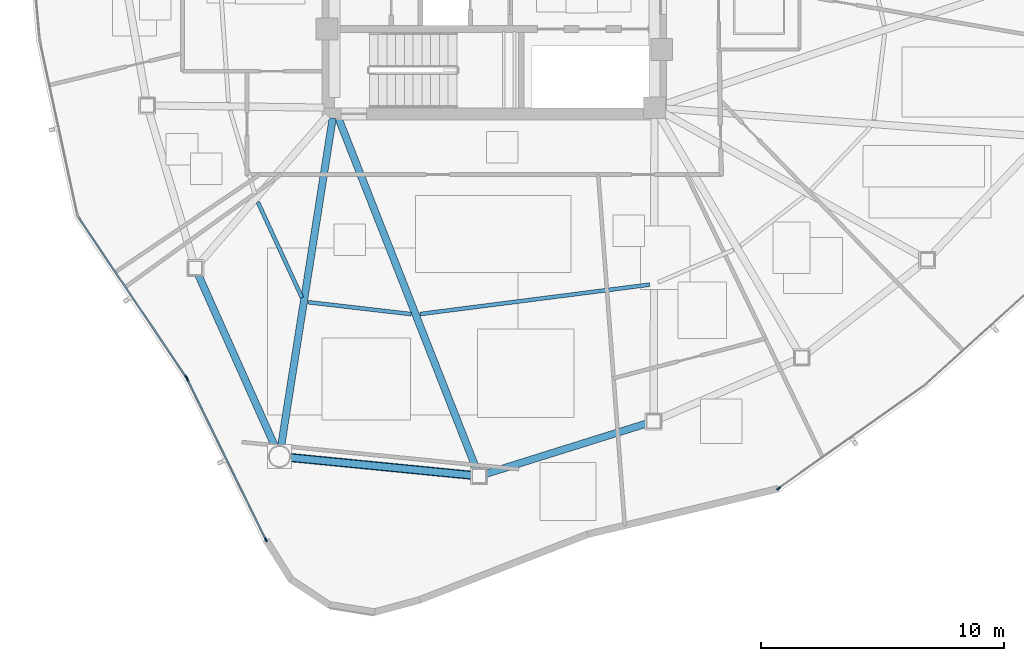
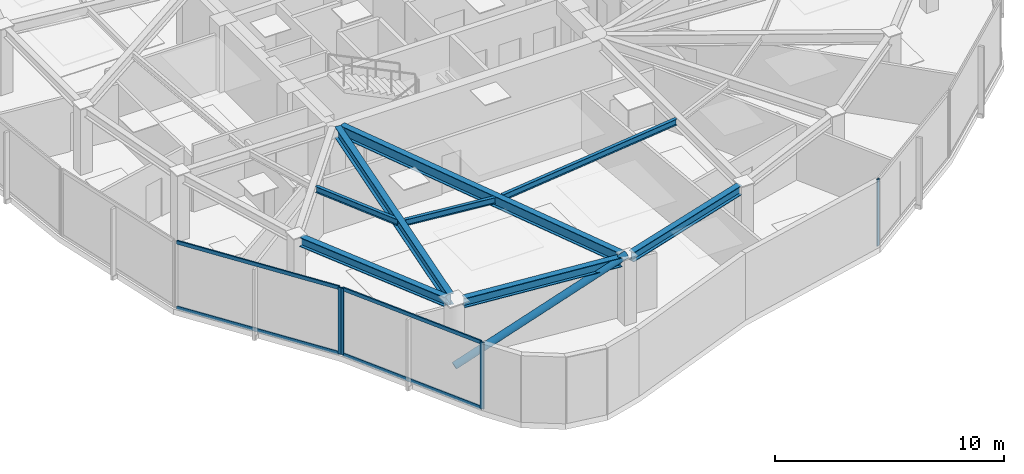
# One storey, part 2 of 17: 9 members, 8 beams, 3 elements without a shape of their own.
"""IFC4 building model written with IfcOpenShell, lengths in metres."""

import ifcopenshell
import ifcopenshell.guid

model = None  # the IFC model being written
_history = None  # IfcOwnerHistory: only IFC2X3 demands one
_inside = {}  # id of a spatial element -> (the spatial element, [elements in it])
_under = {}  # id of a project, library or spatial element -> (it, [spatial elements below it])
_declared = {}  # id of a project -> (the project, [libraries it declares])
_typed = {}  # id of a type object -> (the type object, [elements of that type])
_made_of = {}  # id of a material, layer set ... -> (it, [elements and type objects made of it])


def new_model(schema):
    """Start an empty IFC model of exactly this schema.

    Asked for "IFC4X3", IfcOpenShell would pick the latest addendum, in which some entities
    have other attributes; the version numbers below select the first issue.
    IFC2X3 requires an IfcOwnerHistory on every rooted entity: one is made here for all.
    """
    global model, _history
    if schema == "IFC4X3":
        model = ifcopenshell.file(schema_version=(4, 3, 0, 0))
    else:
        model = ifcopenshell.file(schema=schema)
    _inside.clear()
    _under.clear()
    _declared.clear()
    _typed.clear()
    _made_of.clear()
    _history = None
    if model.schema == "IFC2X3":
        org = make("IfcOrganization", Name="unknown")
        user = make(
            "IfcPersonAndOrganization",
            ThePerson=make("IfcPerson", FamilyName="unknown"),
            TheOrganization=org,
        )
        app = make(
            "IfcApplication",
            ApplicationDeveloper=org,
            Version="unknown",
            ApplicationFullName="unknown",
            ApplicationIdentifier="unknown",
        )
        _history = make(
            "IfcOwnerHistory",
            OwningUser=user,
            OwningApplication=app,
            ChangeAction="ADDED",
            CreationDate=0,
        )
    return model


def make(cls, **values):
    """One entity of the class cls with the attributes given. An attribute that is None is left unset."""
    return model.create_entity(
        cls, **{name: value for name, value in values.items() if value is not None}
    )


def rooted(cls, **values):
    """An entity with a GlobalId (a new one), such as an element, a storey or a relation."""
    return make(cls, GlobalId=ifcopenshell.guid.new(), OwnerHistory=_history, **values)


def si_unit(unit_type, name, prefix=None):
    """IfcSIUnit, for example si_unit("LENGTHUNIT", "METRE", prefix="MILLI")."""
    return make("IfcSIUnit", UnitType=unit_type, Prefix=prefix, Name=name)


def assignment(units):
    """IfcUnitAssignment: the units of a project."""
    return None if units is None else make("IfcUnitAssignment", Units=units)


def point(xyz):
    """IfcCartesianPoint."""
    return None if xyz is None else make("IfcCartesianPoint", Coordinates=xyz)


def direction(xyz):
    """IfcDirection."""
    return None if xyz is None else make("IfcDirection", DirectionRatios=xyz)


def frame(location, z_axis=None, x_axis=None):
    """IfcAxis2Placement3D, a coordinate frame: its origin and axes. An axis left out is left unset."""
    return make(
        "IfcAxis2Placement3D",
        Location=point(location),
        Axis=direction(z_axis),
        RefDirection=direction(x_axis),
    )


def frame_2d(location, x_axis=None):
    """IfcAxis2Placement2D, a coordinate frame in the plane: its origin and x axis."""
    return make(
        "IfcAxis2Placement2D", Location=point(location), RefDirection=direction(x_axis)
    )


def origin():
    """The frame at (0, 0, 0) with its axes left unset."""
    return frame((0.0, 0.0, 0.0))


def origin_2d():
    """The frame at (0, 0) in the plane with its x axis left unset."""
    return frame_2d((0.0, 0.0))


def place(relative_to, where):
    """IfcLocalPlacement: puts the frame where relative to a parent placement (None: the world)."""
    return make(
        "IfcLocalPlacement", PlacementRelTo=relative_to, RelativePlacement=where
    )


def context(
    kind, dimensions, precision=None, world=None, true_north=None, identifier=None
):
    """IfcGeometricRepresentationContext, for example the 3D "Model" context."""
    return make(
        "IfcGeometricRepresentationContext",
        ContextIdentifier=identifier,
        ContextType=kind,
        CoordinateSpaceDimension=dimensions,
        Precision=precision,
        WorldCoordinateSystem=world,
        TrueNorth=true_north,
    )


def subcontext(parent, identifier, kind, view, scale=None):
    """IfcGeometricRepresentationSubContext, for example "Body" below "Model"."""
    return make(
        "IfcGeometricRepresentationSubContext",
        ContextIdentifier=identifier,
        ContextType=kind,
        ParentContext=parent,
        TargetScale=scale,
        TargetView=view,
    )


def project(units=None, contexts=None):
    """IfcProject with its units and contexts."""
    return rooted(
        "IfcProject",
        Name="project",
        RepresentationContexts=contexts,
        UnitsInContext=assignment(units),
    )


def spatial(cls, under=None, at=None, **own):
    """A site, building, storey or space (cls), placed at a placement, below another one or the project."""
    s = rooted(cls, ObjectPlacement=at, **own)
    if under is not None:
        _under.setdefault(under.id(), (under, []))[1].append(s)
    return s


def profile(cls, at=None, kind="AREA", **sizes):
    """A parametric profile (cls). Its sizes go by their IFC names, for example OverallWidth=200.0."""
    return make(cls, ProfileType=kind, Position=at, **sizes)


def hollow_rectangle(**sizes):
    """IfcRectangleHollowProfileDef."""
    return profile("IfcRectangleHollowProfileDef", **sizes)


def hollow_circle(**sizes):
    """IfcCircleHollowProfileDef."""
    return profile("IfcCircleHollowProfileDef", **sizes)


def i_section(**sizes):
    """IfcIShapeProfileDef."""
    return profile("IfcIShapeProfileDef", **sizes)


def extrude(swept, where, along, depth):
    """IfcExtrudedAreaSolid: the profile swept, set in the frame where, extruded along a direction by depth."""
    return make(
        "IfcExtrudedAreaSolid",
        SweptArea=swept,
        Position=where,
        ExtrudedDirection=direction(along),
        Depth=depth,
    )


def shape(context_of_items, identifier, shape_type, items):
    """IfcShapeRepresentation: the items that make up one representation, for example the "Body"."""
    return make(
        "IfcShapeRepresentation",
        ContextOfItems=context_of_items,
        RepresentationIdentifier=identifier,
        RepresentationType=shape_type,
        Items=items,
    )


def source(mapping_origin, context_of_items, identifier, shape_type, items):
    """IfcRepresentationMap: a shape defined once, which mapped items show again and again."""
    return make(
        "IfcRepresentationMap",
        MappingOrigin=mapping_origin,
        MappedRepresentation=shape(context_of_items, identifier, shape_type, items),
    )


def transform(
    local_origin,
    x_axis=None,
    y_axis=None,
    z_axis=None,
    scale=None,
    scale2=None,
    scale3=None,
    uniform=True,
):
    """IfcCartesianTransformationOperator3D, or its non-uniform kind. x_axis, y_axis, z_axis: its Axis1, 2, 3."""
    if uniform:
        return make(
            "IfcCartesianTransformationOperator3D",
            Axis1=direction(x_axis),
            Axis2=direction(y_axis),
            LocalOrigin=point(local_origin),
            Scale=scale,
            Axis3=direction(z_axis),
        )
    return make(
        "IfcCartesianTransformationOperator3DnonUniform",
        Axis1=direction(x_axis),
        Axis2=direction(y_axis),
        LocalOrigin=point(local_origin),
        Scale=scale,
        Axis3=direction(z_axis),
        Scale2=scale2,
        Scale3=scale3,
    )


def mapped(mapping_source, mapping_target):
    """IfcMappedItem: shows the shape of a source again, moved by a transform."""
    return make(
        "IfcMappedItem", MappingSource=mapping_source, MappingTarget=mapping_target
    )


def material(Name=None, Category=None):
    """IfcMaterial."""
    return make("IfcMaterial", Name=Name, Category=Category)


def layer(
    of_material, thickness, ventilated=None, Name=None, Category=None, Priority=None
):
    """IfcMaterialLayer: one layer of a wall or slab, of a material (None: an air gap)."""
    return make(
        "IfcMaterialLayer",
        Material=of_material,
        LayerThickness=thickness,
        IsVentilated=ventilated,
        Name=Name,
        Category=Category,
        Priority=Priority,
    )


def layer_set(layers, Name=None):
    """IfcMaterialLayerSet."""
    return make("IfcMaterialLayerSet", MaterialLayers=layers, LayerSetName=Name)


def material_profile(
    of_material, cross_section, Name=None, Category=None, Priority=None
):
    """IfcMaterialProfile: a cross section and its material."""
    return make(
        "IfcMaterialProfile",
        Name=Name,
        Material=of_material,
        Profile=cross_section,
        Priority=Priority,
        Category=Category,
    )


def profile_set(profiles, Name=None, composite=None):
    """IfcMaterialProfileSet."""
    return make(
        "IfcMaterialProfileSet",
        Name=Name,
        MaterialProfiles=profiles,
        CompositeProfile=composite,
    )


def made_of(thing, what):
    """Note that an element or type object is made of a material, layer set ...; save() writes the relation."""
    if what is not None:
        _made_of.setdefault(what.id(), (what, []))[1].append(thing)
    return thing


def type_object(cls, material=None, **own):
    """A type object (cls), such as IfcWallType, which elements share."""
    return made_of(rooted(cls, **own), material)


def type_shapes(of_type, sources):
    """Give a type object the sources (RepresentationMaps) that its elements show as mapped items."""
    of_type.RepresentationMaps = sources


def element(
    cls,
    number,
    at=None,
    inside=None,
    cuts=None,
    type_object=None,
    material=None,
    context=None,
    identifier="Body",
    shape_type=None,
    held_by="IfcProductDefinitionShape",
    body=None,
    shapes=None,
    **own,
):
    """One element of the class cls, such as IfcWall. Its Tag is "e" and its number.

    at: its placement. inside: the storey or other place that contains it. cuts: it is an
    opening in that element (IfcRelVoidsElement). A single representation is given by context,
    identifier, shape_type and body (its items); several are given by shapes. held_by: the class
    of the entity that holds the representations. save() writes the other relations.
    """
    e = rooted(cls, Tag="e%d" % number, ObjectPlacement=at, **own)
    if body is not None:
        shapes = [shape(context, identifier, shape_type, body)]
    if shapes is not None:
        e.Representation = make(held_by, Representations=shapes)
    if inside is not None:
        _inside.setdefault(inside.id(), (inside, []))[1].append(e)
    if cuts is not None:
        rooted(
            "IfcRelVoidsElement", RelatingBuildingElement=cuts, RelatedOpeningElement=e
        )
    if type_object is not None:
        _typed.setdefault(type_object.id(), (type_object, []))[1].append(e)
    return made_of(e, material)


def aggregate(whole, parts):
    """IfcRelAggregates: a whole, such as a stair, and the parts it consists of."""
    return rooted("IfcRelAggregates", RelatingObject=whole, RelatedObjects=parts)


def save(model, path):
    """Write the relations noted so far, then the file.

    IfcRelAggregates (storeys below a building ...), IfcRelContainedInSpatialStructure (elements
    in a storey), IfcRelDefinesByType, IfcRelAssociatesMaterial and IfcRelDeclares: one each for
    every whole, place, type object, material and project.
    """
    for whole, parts in _under.values():
        aggregate(whole, parts)
    for where, things in _inside.values():
        rooted(
            "IfcRelContainedInSpatialStructure",
            RelatedElements=things,
            RelatingStructure=where,
        )
    for kind, things in _typed.values():
        rooted("IfcRelDefinesByType", RelatedObjects=things, RelatingType=kind)
    for what, things in _made_of.values():
        rooted("IfcRelAssociatesMaterial", RelatedObjects=things, RelatingMaterial=what)
    for by, libraries in _declared.values():
        rooted("IfcRelDeclares", RelatingContext=by, RelatedDefinitions=libraries)
    model.write(path)


model = new_model("IFC4")

# Units and contexts
model_context = context("Model", 3, precision=1e-05, world=origin(), true_north=direction((0.0, 1.0)))
body_context = subcontext(model_context, "Body", "Model", "MODEL_VIEW")
ifc_project = project(units=[si_unit("LENGTHUNIT", "METRE"), si_unit("AREAUNIT", "SQUARE_METRE"), si_unit("VOLUMEUNIT", "CUBIC_METRE"), si_unit("PLANEANGLEUNIT", "RADIAN"), si_unit("MASSUNIT", "GRAM", prefix="KILO")], contexts=[model_context])

# Site, building, storey
site_placement = place(None, origin())
site = spatial("IfcSite", under=ifc_project, at=site_placement, CompositionType="ELEMENT")
building_placement = place(site_placement, origin())
building = spatial("IfcBuilding", under=site, at=building_placement, Name="Tavelor Broadcast Tower", CompositionType="ELEMENT")
storey_placement = place(building_placement, frame((0.0, 0.0, 196.449951171875)))
storey = spatial("IfcBuildingStorey", under=building, at=storey_placement, Name="L47", CompositionType="ELEMENT", Elevation=196.449951171875)

# Beams
ifc_material_1 = material(Name="Steel S355", Category="steel")
ifc_material_profile_1 = material_profile(ifc_material_1, i_section(OverallWidth=0.159912109375, OverallDepth=0.330078125, WebThickness=0.007568359375, FlangeThickness=0.011474609375, at=origin_2d()), Name="IPE 330")
ifc_profile_set_1 = profile_set([ifc_material_profile_1], Name="Steel S355")
beam_type_1 = type_object("IfcBeamType", Name="Composite Floor Joist T4 IPE 330", PredefinedType="JOIST", material=ifc_profile_set_1)
beam_1_placement = place(storey_placement, frame((40.2470703125, 34.91259765625, 3.385009765625), z_axis=(0.418865688231, -0.908048200936, 0.0), x_axis=(0.908048200936, 0.418865688231, 0.0)))
element("IfcBeam", 1, at=beam_1_placement, inside=storey, type_object=beam_type_1, Name="L47 Secondary Composite Floor Joist 06", PredefinedType="JOIST", context=body_context, shape_type="SweptSolid", body=[
    extrude(i_section(OverallWidth=0.159912109375, OverallDepth=0.330078125, WebThickness=0.007568359375, FlangeThickness=0.011474609375, at=origin_2d()), origin(), (0.0, 0.0, 1.0), 4.343505859375),
])
beam_2_placement = place(storey_placement, frame((42.322021484375, 30.783447265625, 3.385009765625), z_axis=(0.99339343168, -0.114758397927, 0.0), x_axis=(0.114758397927, 0.99339343168, 0.0)))
element("IfcBeam", 2, at=beam_2_placement, inside=storey, type_object=beam_type_1, Name="L47 Secondary Composite Floor Joist 07", PredefinedType="JOIST", context=body_context, shape_type="SweptSolid", body=[
    extrude(i_section(OverallWidth=0.159912109375, OverallDepth=0.330078125, WebThickness=0.007568359375, FlangeThickness=0.011474609375, at=origin_2d()), origin(), (0.0, 0.0, 1.0), 4.2783203125),
])
beam_3_placement = place(storey_placement, frame((46.931396484375, 30.294921875, 3.385009765625), z_axis=(0.991879761862, 0.127179157129, 0.0), x_axis=(-0.127179157129, 0.991879761862, 0.0)))
element("IfcBeam", 3, at=beam_3_placement, inside=storey, type_object=beam_type_1, Name="L47 Secondary Composite Floor Joist 08", PredefinedType="JOIST", context=body_context, shape_type="SweptSolid", body=[
    extrude(i_section(OverallWidth=0.159912109375, OverallDepth=0.330078125, WebThickness=0.007568359375, FlangeThickness=0.011474609375, at=origin_2d()), origin(), (0.0, 0.0, 1.0), 9.54443359375),
])
ifc_material_profile_2 = material_profile(ifc_material_1, i_section(OverallWidth=0.300048828125, OverallDepth=0.5, WebThickness=0.014404296875, FlangeThickness=0.028076171875, at=origin_2d()), Name="HEB 500")
ifc_profile_set_2 = profile_set([ifc_material_profile_2], Name="Steel S355")
beam_type_2 = type_object("IfcBeamType", Name="Perimeter Spandrel Beam T4 HEB 500", PredefinedType="SPANDREL", material=ifc_profile_set_2)
beam_4_placement = place(storey_placement, frame((37.78564453125, 31.927490234375, 3.300048828125), z_axis=(0.407969002466, -0.912995779304, 0.0), x_axis=(0.912995779304, 0.407969002466, 0.0)))
element("IfcBeam", 4, at=beam_4_placement, inside=storey, type_object=beam_type_2, Name="L47 Framed-Tube Ring Spandrel 06", PredefinedType="SPANDREL", context=body_context, shape_type="SweptSolid", body=[
    extrude(i_section(OverallWidth=0.300048828125, OverallDepth=0.5, WebThickness=0.014404296875, FlangeThickness=0.028076171875, at=origin_2d()), origin(), (0.0, 0.0, 1.0), 7.7802734375),
])
beam_5_placement = place(storey_placement, frame((41.5751953125, 24.381103515625, 3.300048828125), z_axis=(0.995249339376, -0.097358884918, 0.0), x_axis=(0.097358884918, 0.995249339376, 0.0)))
element("IfcBeam", 5, at=beam_5_placement, inside=storey, type_object=beam_type_2, Name="L47 Framed-Tube Ring Spandrel 07", PredefinedType="SPANDREL", context=body_context, shape_type="SweptSolid", body=[
    extrude(i_section(OverallWidth=0.300048828125, OverallDepth=0.5, WebThickness=0.014404296875, FlangeThickness=0.028076171875, at=origin_2d()), origin(), (0.0, 0.0, 1.0), 7.54052734375),
])
beam_6_placement = place(storey_placement, frame((49.641357421875, 23.705078125, 3.300048828125), z_axis=(0.954273247332, 0.298935727918, 0.0), x_axis=(-0.298935727918, 0.954273247332, 0.0)))
element("IfcBeam", 6, at=beam_6_placement, inside=storey, type_object=beam_type_2, Name="L47 Framed-Tube Ring Spandrel 08", PredefinedType="SPANDREL", context=body_context, shape_type="SweptSolid", body=[
    extrude(i_section(OverallWidth=0.300048828125, OverallDepth=0.5, WebThickness=0.014404296875, FlangeThickness=0.028076171875, at=origin_2d()), origin(), (0.0, 0.0, 1.0), 6.963134765625),
])

# Member
ifc_material_profile_3 = material_profile(ifc_material_1, hollow_circle(Radius=0.177734375, WallThickness=0.01611328125, at=origin_2d()), Name="CHS 355.6x16")
ifc_profile_set_3 = profile_set([ifc_material_profile_3], Name="Steel S355")
member_type_1 = type_object("IfcMemberType", Name="Perimeter Tube Brace T4 CHS 355.6x16", PredefinedType="BRACE", material=ifc_profile_set_3)
member_1_placement = place(storey_placement, frame((41.138671875, 24.423828125, 0.0), z_axis=(0.914496364203, -0.089466025126, 0.394578547577), x_axis=(0.097366094377, 0.995248634094, 0.0)))
element("IfcMember", 7, at=member_1_placement, inside=storey, type_object=member_type_1, Name="L47 Corner Tube Diagonal Brace 2", PredefinedType="BRACE", context=body_context, shape_type="SweptSolid", body=[
    extrude(hollow_circle(Radius=0.177734375, WallThickness=0.01611328125, at=origin_2d()), origin(), (0.0, 0.0, 1.0), 8.9970703125),
])

# Beams
ifc_material_profile_4 = material_profile(ifc_material_1, i_section(OverallWidth=0.300048828125, OverallDepth=0.590087890625, WebThickness=0.012939453125, FlangeThickness=0.02490234375, at=origin_2d()), Name="HEA 600")
ifc_profile_set_4 = profile_set([ifc_material_profile_4], Name="Steel S355")
beam_type_3 = type_object("IfcBeamType", Name="Radial Floor Girder T4 HEA 600", PredefinedType="BEAM", material=ifc_profile_set_4)
beam_7_placement = place(storey_placement, frame((43.3330078125, 38.373291015625, 3.255126953125), z_axis=(-0.15539903111, -0.987851780952, 0.0), x_axis=(0.987851780952, -0.15539903111, 0.0)))
element("IfcBeam", 8, at=beam_7_placement, inside=storey, type_object=beam_type_3, Name="L47 Radial Primary Floor Girder 07", PredefinedType="BEAM", context=body_context, shape_type="SweptSolid", body=[
    extrude(i_section(OverallWidth=0.300048828125, OverallDepth=0.590087890625, WebThickness=0.012939453125, FlangeThickness=0.02490234375, at=origin_2d()), origin(), (0.0, 0.0, 1.0), 13.682373046875),
])
beam_8_placement = place(storey_placement, frame((43.55810546875, 38.39794921875, 3.255126953125), z_axis=(0.365784627572, -0.930699525213, 0.0), x_axis=(0.930699525213, 0.365784627572, 0.0)))
element("IfcBeam", 9, at=beam_8_placement, inside=storey, type_object=beam_type_3, Name="L47 Radial Primary Floor Girder 08", PredefinedType="BEAM", context=body_context, shape_type="SweptSolid", body=[
    extrude(i_section(OverallWidth=0.300048828125, OverallDepth=0.590087890625, WebThickness=0.012939453125, FlangeThickness=0.02490234375, at=origin_2d()), origin(), (0.0, 0.0, 1.0), 15.591552734375),
])

# Curtain wall, member
ifc_material_2 = material(Name="Architectural Anodized Aluminium", Category="aluminium")
ifc_layer = layer(ifc_material_2, 0.18994140625)
ifc_layer_set = layer_set([ifc_layer], Name="Architectural Anodized Aluminium")
curtain_wall_type = type_object("IfcCurtainWallType", Name="Tower Mid-Zone Acoustic Curtain Wall CW03", PredefinedType="NOTDEFINED", material=ifc_layer_set)
curtain_wall_1_placement = place(storey_placement, origin())
curtain_wall_1 = element("IfcCurtainWall", 10, at=curtain_wall_1_placement, inside=storey, type_object=curtain_wall_type, Name="L47 Curtain Wall CW03 Run 507", PredefinedType="NOTDEFINED")
ifc_material_profile_5 = material_profile(ifc_material_2, hollow_rectangle(XDim=0.068115234375, YDim=0.18994140625, WallThickness=0.02197265625, at=origin_2d()), Name="RHS 68x190x22")
ifc_profile_set_5 = profile_set([ifc_material_profile_5], Name="Architectural Anodized Aluminium")
member_type_2 = type_object("IfcMemberType", Name="CW03 Extruded Aluminium Mullion 68x190", PredefinedType="MULLION", material=ifc_profile_set_5)
shared_shape_1 = source(origin(), body_context, "Body", "SweptSolid", [
    extrude(hollow_rectangle(XDim=0.068115234375, YDim=0.18994140625, WallThickness=0.02197265625, at=origin_2d()), origin(), (0.0, 0.0, 1.0), 3.550048828125),
])
type_shapes(member_type_2, [shared_shape_1])
member_2_placement = place(storey_placement, frame((37.293212890625, 27.692626953125, 0.0), z_axis=(0.0, 0.0, 1.0), x_axis=(0.829752071351, 0.558132152889, 0.0)))
member_2 = element("IfcMember", 11, at=member_2_placement, type_object=member_type_2, Name="CW03 mullion 2", PredefinedType="MULLION", context=body_context, shape_type="MappedRepresentation", body=[
    mapped(shared_shape_1, transform((0.0, 0.0, 0.0), scale=1.0)),
])

# Curtain wall, members
curtain_wall_2_placement = place(storey_placement, origin())
curtain_wall_2 = element("IfcCurtainWall", 12, at=curtain_wall_2_placement, inside=storey, type_object=curtain_wall_type, Name="L47 Curtain Wall CW03 Run 508", PredefinedType="NOTDEFINED")
member_3_placement = place(storey_placement, frame((37.342041015625, 27.60791015625, 0.0), z_axis=(0.0, 0.0, 1.0), x_axis=(0.89821208267, 0.439562344322, 0.0)))
member_3 = element("IfcMember", 13, at=member_3_placement, type_object=member_type_2, Name="CW03 mullion 1", PredefinedType="MULLION", context=body_context, shape_type="MappedRepresentation", body=[
    mapped(shared_shape_1, transform((0.0, 0.0, 0.0), scale=1.0)),
])
member_4_placement = place(storey_placement, frame((40.5751953125, 21.0009765625, 0.0), z_axis=(0.0, 0.0, 1.0), x_axis=(0.89821208267, 0.439562344322, 0.0)))
member_4 = element("IfcMember", 14, at=member_4_placement, type_object=member_type_2, Name="CW03 mullion 2", PredefinedType="MULLION", context=body_context, shape_type="MappedRepresentation", body=[
    mapped(shared_shape_1, transform((0.0, 0.0, 0.0), scale=1.0)),
])

# Curtain wall, member
curtain_wall_3_placement = place(storey_placement, origin())
curtain_wall_3 = element("IfcCurtainWall", 15, at=curtain_wall_3_placement, inside=storey, type_object=curtain_wall_type, Name="L47 Curtain Wall CW03 Run 509", PredefinedType="NOTDEFINED")
member_5_placement = place(storey_placement, frame((61.71435546875, 23.1103515625, 0.0), z_axis=(0.0, 0.0, 1.0), x_axis=(-0.576771429639, 0.816905574685, 0.0)))
member_5 = element("IfcMember", 16, at=member_5_placement, type_object=member_type_2, Name="CW03 mullion 1", PredefinedType="MULLION", context=body_context, shape_type="MappedRepresentation", body=[
    mapped(shared_shape_1, transform((0.0, 0.0, 0.0), scale=1.0)),
])
aggregate(curtain_wall_3, [member_5])

# Member
ifc_material_profile_6 = material_profile(ifc_material_2, hollow_rectangle(XDim=0.068115234375, YDim=0.18994140625, WallThickness=0.02197265625, at=origin_2d()), Name="RHS 68x190x22")
ifc_profile_set_6 = profile_set([ifc_material_profile_6], Name="Architectural Anodized Aluminium")
member_type_3 = type_object("IfcMemberType", Name="CW03 Extruded Aluminium Transom 68x190", PredefinedType="USERDEFINED", material=ifc_profile_set_6)
shared_shape_2 = source(origin(), body_context, "Body", "SweptSolid", [
    extrude(hollow_rectangle(XDim=0.068115234375, YDim=0.18994140625, WallThickness=0.02197265625, at=origin_2d()), origin(), (0.0, 0.0, 1.0), 7.28759765625),
])
member_6_placement = place(storey_placement, frame((37.35693359375, 27.577392578125, 0.033935546875), z_axis=(0.439559189654, -0.898213626478, 0.0), x_axis=(0.898213626478, 0.439559189654, 0.0)))
member_6 = element("IfcMember", 17, at=member_6_placement, type_object=member_type_3, Name="CW03 transom 1.1", ObjectType="TRANSOM", PredefinedType="USERDEFINED", context=body_context, shape_type="MappedRepresentation", body=[
    mapped(shared_shape_2, transform((0.0, 0.0, 0.0), scale=1.0)),
])

member_7_placement = place(storey_placement, frame((37.35693359375, 27.577392578125, 3.51611328125), z_axis=(0.439559189654, -0.898213626478, 0.0), x_axis=(0.898213626478, 0.439559189654, 0.0)))
member_7 = element("IfcMember", 18, at=member_7_placement, type_object=member_type_3, Name="CW03 transom 1.2", ObjectType="TRANSOM", PredefinedType="USERDEFINED", context=body_context, shape_type="MappedRepresentation", body=[
    mapped(shared_shape_2, transform((0.0, 0.0, 0.0), scale=1.0)),
])

aggregate(curtain_wall_2, [member_3, member_4, member_6, member_7])

shared_shape_3 = source(origin(), body_context, "Body", "SweptSolid", [
    extrude(hollow_rectangle(XDim=0.068115234375, YDim=0.18994140625, WallThickness=0.02197265625, at=origin_2d()), origin(), (0.0, 0.0, 1.0), 7.90185546875),
])
type_shapes(member_type_3, [shared_shape_2, shared_shape_3])
member_8_placement = place(storey_placement, frame((32.864013671875, 34.27734375, 0.033935546875), z_axis=(0.558117907034, -0.829761653638, 0.0), x_axis=(0.829761653638, 0.558117907034, 0.0)))
member_8 = element("IfcMember", 19, at=member_8_placement, type_object=member_type_3, Name="CW03 transom 1.1", ObjectType="TRANSOM", PredefinedType="USERDEFINED", context=body_context, shape_type="MappedRepresentation", body=[
    mapped(shared_shape_3, transform((0.0, 0.0, 0.0), scale=1.0)),
])

member_9_placement = place(storey_placement, frame((32.864013671875, 34.27734375, 3.51611328125), z_axis=(0.558117907034, -0.829761653638, 0.0), x_axis=(0.829761653638, 0.558117907034, 0.0)))
member_9 = element("IfcMember", 20, at=member_9_placement, type_object=member_type_3, Name="CW03 transom 1.2", ObjectType="TRANSOM", PredefinedType="USERDEFINED", context=body_context, shape_type="MappedRepresentation", body=[
    mapped(shared_shape_3, transform((0.0, 0.0, 0.0), scale=1.0)),
])

aggregate(curtain_wall_1, [member_2, member_8, member_9])

save(model, "model.ifc")
